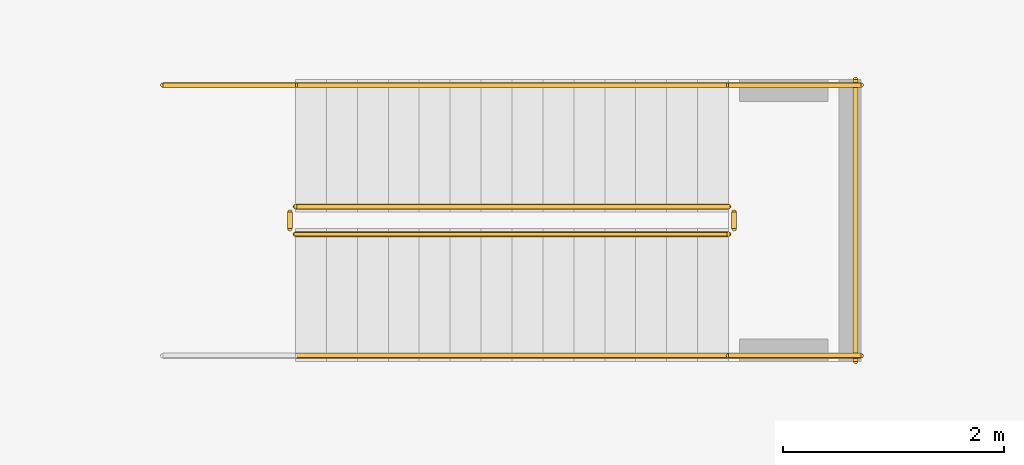
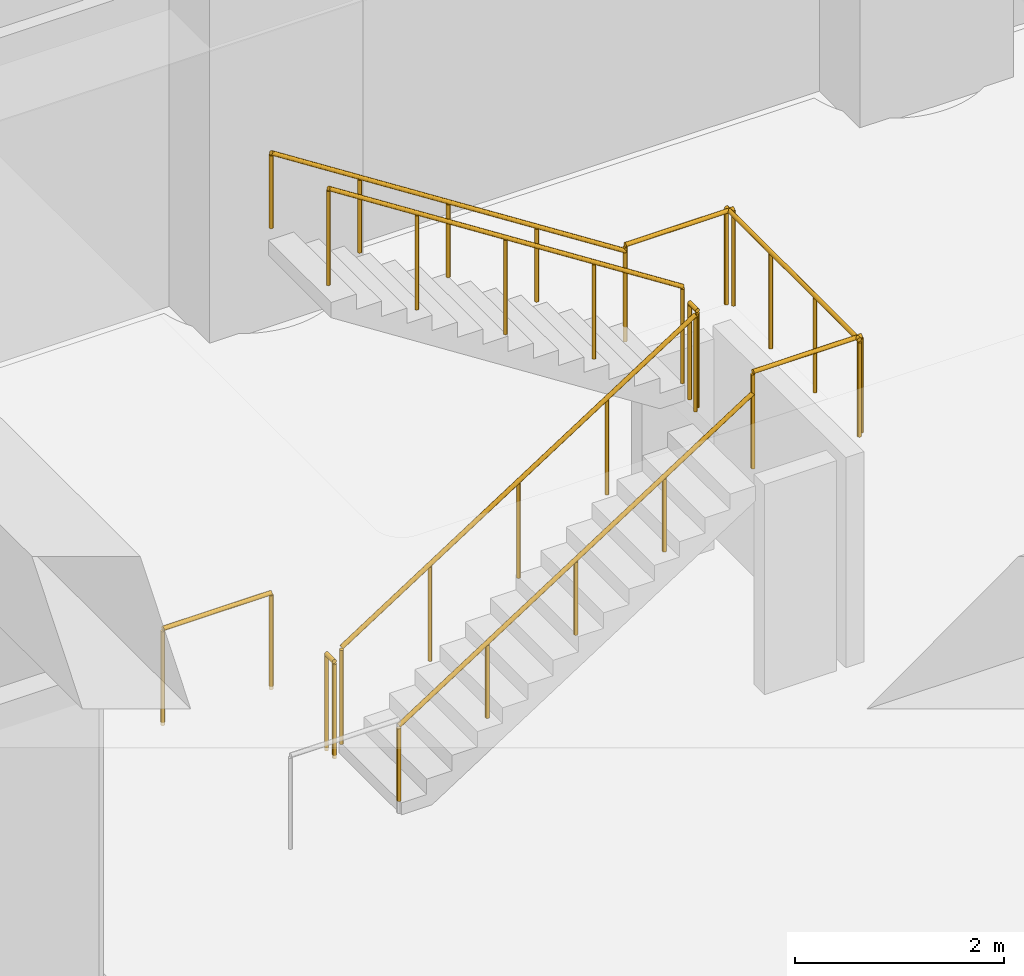
# One storey, part 14 of 20: 10 railings.
"""IFC4 building model written with IfcOpenShell, lengths in metres."""

from ifc_helpers import new_model, si_unit, direction, frame, origin, origin_2d, place, context, subcontext, project, spatial, circle, extrude, material, type_object, element, save


model = new_model("IFC4")

# Units and contexts
model_context = context("Model", 3, precision=1e-05, world=origin(), true_north=direction((0.0, 1.0)))
body_context = subcontext(model_context, "Body", "Model", "MODEL_VIEW")
ifc_project = project(units=[si_unit("LENGTHUNIT", "METRE"), si_unit("AREAUNIT", "SQUARE_METRE"), si_unit("VOLUMEUNIT", "CUBIC_METRE"), si_unit("PLANEANGLEUNIT", "RADIAN"), si_unit("MASSUNIT", "GRAM", prefix="KILO")], contexts=[model_context])

# Site, building, storey
site_placement = place(None, origin())
site = spatial("IfcSite", under=ifc_project, at=site_placement, CompositionType="ELEMENT")
building_placement = place(site_placement, origin())
building = spatial("IfcBuilding", under=site, at=building_placement, Name="Saffron Iwan Residences", CompositionType="ELEMENT")
storey_placement = place(building_placement, frame((0.0, 0.0, -5.39990234375)))
storey = spatial("IfcBuildingStorey", under=building, at=storey_placement, Name="B1", CompositionType="ELEMENT", Elevation=-5.39990234375)

# Railings
ifc_material = material(Name="Steel S355", Category="steel")
railing_type_1 = type_object("IfcRailingType", Name="Podium stair guard 1150", PredefinedType="GUARDRAIL", material=ifc_material)
railing_1_placement = place(storey_placement, frame((47.199951171875, 26.14990234375, 0.179931640625)))
element("IfcRailing", 1, at=railing_1_placement, inside=storey, type_object=railing_type_1, Name="B1 SP1 stair guard 1", PredefinedType="GUARDRAIL", context=body_context, shape_type="SweptSolid", body=[
    extrude(circle(Radius=0.02392578125, at=origin_2d()), frame((0.0, 0.0, 1.1259765625), z_axis=(0.841186985886, 0.0, 0.540744352514), x_axis=(0.0, 1.0, 0.0)), (0.0, 0.0, 1.0), 4.660400390625),
    extrude(circle(Radius=0.02099609375, at=origin_2d()), origin(), (0.0, 0.0, 1.0), 1.101806640625),
    extrude(circle(Radius=0.02099609375, at=origin_2d()), frame((0.97998046875, 0.0, 0.6298828125)), (0.0, 0.0, 1.0), 1.101806640625),
    extrude(circle(Radius=0.02099609375, at=origin_2d()), frame((1.9599609375, 0.0, 1.260009765625)), (0.0, 0.0, 1.0), 1.101806640625),
    extrude(circle(Radius=0.02099609375, at=origin_2d()), frame((2.940185546875, 0.0, 1.89013671875)), (0.0, 0.0, 1.0), 1.101806640625),
    extrude(circle(Radius=0.02099609375, at=origin_2d()), frame((3.920166015625, 0.0, 2.52001953125)), (0.0, 0.0, 1.0), 1.101806640625),
])
railing_2_placement = place(storey_placement, frame((51.169921875, 26.199951171875, 2.699951171875)))
element("IfcRailing", 2, at=railing_2_placement, inside=storey, type_object=railing_type_1, Name="B1 SP1 stair guard 2", PredefinedType="GUARDRAIL", context=body_context, shape_type="SweptSolid", body=[
    extrude(circle(Radius=0.02392578125, at=origin_2d()), frame((0.0, 0.0, 1.1259765625), z_axis=(0.0, 1.0, 0.0), x_axis=(-1.0, 0.0, 0.0)), (0.0, 0.0, 1.0), 0.150146484375),
    extrude(circle(Radius=0.02099609375, at=origin_2d()), origin(), (0.0, 0.0, 1.0), 1.101806640625),
    extrude(circle(Radius=0.02099609375, at=origin_2d()), frame((0.0, 0.150146484375, 0.0)), (0.0, 0.0, 1.0), 1.101806640625),
])
for number, where, name in (
    (3, (51.1201171875, 25.050048828125, 2.699951171875), "B1 SP1 stair guard 3"),
    (4, (51.1201171875, 27.5, 2.699951171875), "B1 SP1 stair guard 4"),
):
    element("IfcRailing", number, at=place(storey_placement, frame(where)), inside=storey, type_object=railing_type_1, Name=name, PredefinedType="GUARDRAIL", context=body_context, shape_type="SweptSolid", body=[
        extrude(circle(Radius=0.02392578125, at=origin_2d()), frame((0.0, 0.0, 1.1259765625), z_axis=(1.0, 0.0, 0.0), x_axis=(0.0, 1.0, 0.0)), (0.0, 0.0, 1.0), 1.199951171875),
        extrude(circle(Radius=0.02099609375, at=origin_2d()), origin(), (0.0, 0.0, 1.0), 1.101806640625),
        extrude(circle(Radius=0.02099609375, at=origin_2d()), frame((1.199951171875, 0.0, 0.0)), (0.0, 0.0, 1.0), 1.101806640625),
    ])
railing_3_placement = place(storey_placement, frame((52.27001953125, 25.0, 2.699951171875)))
element("IfcRailing", 5, at=railing_3_placement, inside=storey, type_object=railing_type_1, Name="B1 SP1 stair guard 5", PredefinedType="GUARDRAIL", context=body_context, shape_type="SweptSolid", body=[
    extrude(circle(Radius=0.02392578125, at=origin_2d()), frame((0.0, 0.0, 1.1259765625), z_axis=(0.0, 1.0, 0.0), x_axis=(-1.0, 0.0, 0.0)), (0.0, 0.0, 1.0), 2.550048828125),
    extrude(circle(Radius=0.02099609375, at=origin_2d()), origin(), (0.0, 0.0, 1.0), 1.101806640625),
    extrude(circle(Radius=0.02099609375, at=origin_2d()), frame((0.0, 0.85009765625, 0.0)), (0.0, 0.0, 1.0), 1.101806640625),
    extrude(circle(Radius=0.02099609375, at=origin_2d()), frame((0.0, 1.699951171875, 0.0)), (0.0, 0.0, 1.0), 1.101806640625),
    extrude(circle(Radius=0.02099609375, at=origin_2d()), frame((0.0, 2.550048828125, 0.0)), (0.0, 0.0, 1.0), 1.101806640625),
])
railing_4_placement = place(storey_placement, frame((51.1201171875, 26.39990234375, 2.8798828125)))
element("IfcRailing", 6, at=railing_4_placement, inside=storey, type_object=railing_type_1, Name="B1 SP1 stair guard 6", PredefinedType="GUARDRAIL", context=body_context, shape_type="SweptSolid", body=[
    extrude(circle(Radius=0.02392578125, at=origin_2d()), frame((0.0, 0.0, 1.1259765625), z_axis=(-0.841186985886, 0.0, 0.540744352514), x_axis=(0.0, -1.0, 0.0)), (0.0, 0.0, 1.0), 4.660400390625),
    extrude(circle(Radius=0.02099609375, at=origin_2d()), origin(), (0.0, 0.0, 1.0), 1.101806640625),
    extrude(circle(Radius=0.02099609375, at=origin_2d()), frame((-0.97998046875, 0.0, 0.6298828125)), (0.0, 0.0, 1.0), 1.101806640625),
    extrude(circle(Radius=0.02099609375, at=origin_2d()), frame((-1.9599609375, 0.0, 1.260009765625)), (0.0, 0.0, 1.0), 1.101806640625),
    extrude(circle(Radius=0.02099609375, at=origin_2d()), frame((-2.940185546875, 0.0, 1.89013671875)), (0.0, 0.0, 1.0), 1.101806640625),
    extrude(circle(Radius=0.02099609375, at=origin_2d()), frame((-3.920166015625, 0.0, 2.52001953125)), (0.0, 0.0, 1.0), 1.101806640625),
])
railing_5_placement = place(storey_placement, frame((47.14990234375, 26.199951171875, 0.0)))
element("IfcRailing", 7, at=railing_5_placement, inside=storey, type_object=railing_type_1, Name="B1 SP1 stair guard 7", PredefinedType="GUARDRAIL", context=body_context, shape_type="SweptSolid", body=[
    extrude(circle(Radius=0.02392578125, at=origin_2d()), frame((0.0, 0.0, 1.1259765625), z_axis=(0.0, 1.0, 0.0), x_axis=(-1.0, 0.0, 0.0)), (0.0, 0.0, 1.0), 0.150146484375),
    extrude(circle(Radius=0.02099609375, at=origin_2d()), origin(), (0.0, 0.0, 1.0), 1.101806640625),
    extrude(circle(Radius=0.02099609375, at=origin_2d()), frame((0.0, 0.150146484375, 0.0)), (0.0, 0.0, 1.0), 1.101806640625),
])
railing_6_placement = place(storey_placement, frame((46.0, 27.5, 0.0)))
element("IfcRailing", 8, at=railing_6_placement, inside=storey, type_object=railing_type_1, Name="B1 SP1 stair guard 9", PredefinedType="GUARDRAIL", context=body_context, shape_type="SweptSolid", body=[
    extrude(circle(Radius=0.02392578125, at=origin_2d()), frame((0.0, 0.0, 1.1259765625), z_axis=(1.0, 0.0, 0.0), x_axis=(0.0, 1.0, 0.0)), (0.0, 0.0, 1.0), 1.199951171875),
    extrude(circle(Radius=0.02099609375, at=origin_2d()), origin(), (0.0, 0.0, 1.0), 1.101806640625),
    extrude(circle(Radius=0.02099609375, at=origin_2d()), frame((1.199951171875, 0.0, 0.0)), (0.0, 0.0, 1.0), 1.101806640625),
])
railing_type_2 = type_object("IfcRailingType", Name="Podium stair handrail 900", PredefinedType="HANDRAIL", material=ifc_material)
railing_7_placement = place(storey_placement, frame((47.199951171875, 25.050048828125, 0.179931640625)))
element("IfcRailing", 9, at=railing_7_placement, inside=storey, type_object=railing_type_2, Name="B1 SP1 stair handrail 1", PredefinedType="HANDRAIL", context=body_context, shape_type="SweptSolid", body=[
    extrude(circle(Radius=0.02392578125, at=origin_2d()), frame((0.0, 0.0, 0.8759765625), z_axis=(0.841186985886, 0.0, 0.540744352514), x_axis=(0.0, 1.0, 0.0)), (0.0, 0.0, 1.0), 4.660400390625),
    extrude(circle(Radius=0.02099609375, at=origin_2d()), origin(), (0.0, 0.0, 1.0), 0.851806640625),
    extrude(circle(Radius=0.02099609375, at=origin_2d()), frame((0.97998046875, 0.0, 0.6298828125)), (0.0, 0.0, 1.0), 0.851806640625),
    extrude(circle(Radius=0.02099609375, at=origin_2d()), frame((1.9599609375, 0.0, 1.260009765625)), (0.0, 0.0, 1.0), 0.851806640625),
    extrude(circle(Radius=0.02099609375, at=origin_2d()), frame((2.940185546875, 0.0, 1.89013671875)), (0.0, 0.0, 1.0), 0.851806640625),
    extrude(circle(Radius=0.02099609375, at=origin_2d()), frame((3.920166015625, 0.0, 2.52001953125)), (0.0, 0.0, 1.0), 0.851806640625),
])
railing_8_placement = place(storey_placement, frame((51.1201171875, 27.5, 2.8798828125)))
element("IfcRailing", 10, at=railing_8_placement, inside=storey, type_object=railing_type_2, Name="B1 SP1 stair handrail 2", PredefinedType="HANDRAIL", context=body_context, shape_type="SweptSolid", body=[
    extrude(circle(Radius=0.02392578125, at=origin_2d()), frame((0.0, 0.0, 0.8759765625), z_axis=(-0.841186985886, 0.0, 0.540744352514), x_axis=(0.0, -1.0, 0.0)), (0.0, 0.0, 1.0), 4.660400390625),
    extrude(circle(Radius=0.02099609375, at=origin_2d()), origin(), (0.0, 0.0, 1.0), 0.851806640625),
    extrude(circle(Radius=0.02099609375, at=origin_2d()), frame((-0.97998046875, 0.0, 0.6298828125)), (0.0, 0.0, 1.0), 0.851806640625),
    extrude(circle(Radius=0.02099609375, at=origin_2d()), frame((-1.9599609375, 0.0, 1.260009765625)), (0.0, 0.0, 1.0), 0.851806640625),
    extrude(circle(Radius=0.02099609375, at=origin_2d()), frame((-2.940185546875, 0.0, 1.89013671875)), (0.0, 0.0, 1.0), 0.851806640625),
    extrude(circle(Radius=0.02099609375, at=origin_2d()), frame((-3.920166015625, 0.0, 2.52001953125)), (0.0, 0.0, 1.0), 0.851806640625),
])

save(model, "model.ifc")
